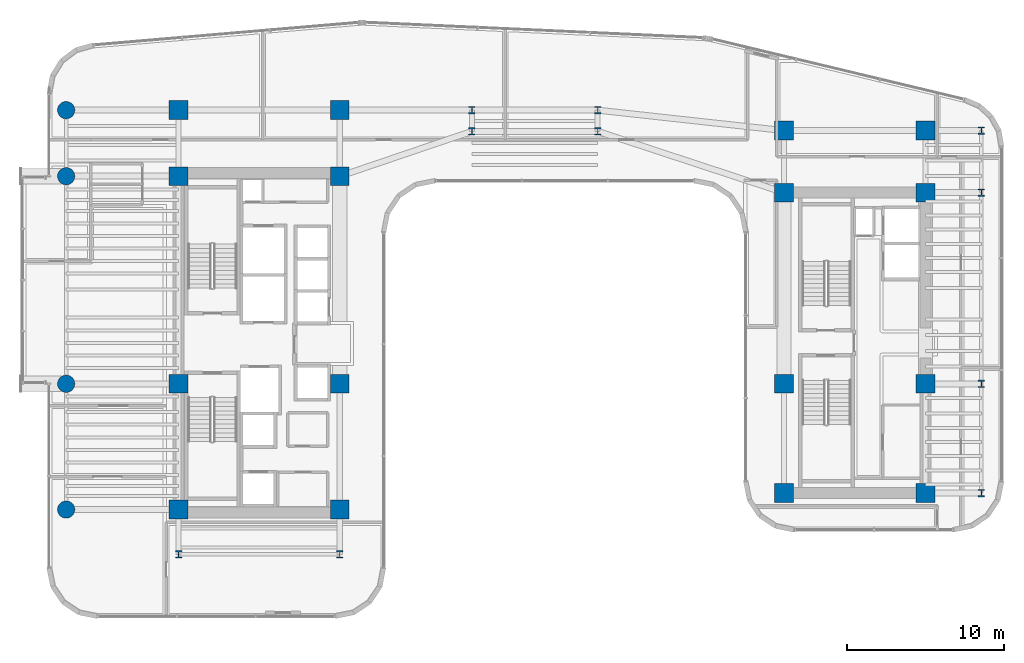
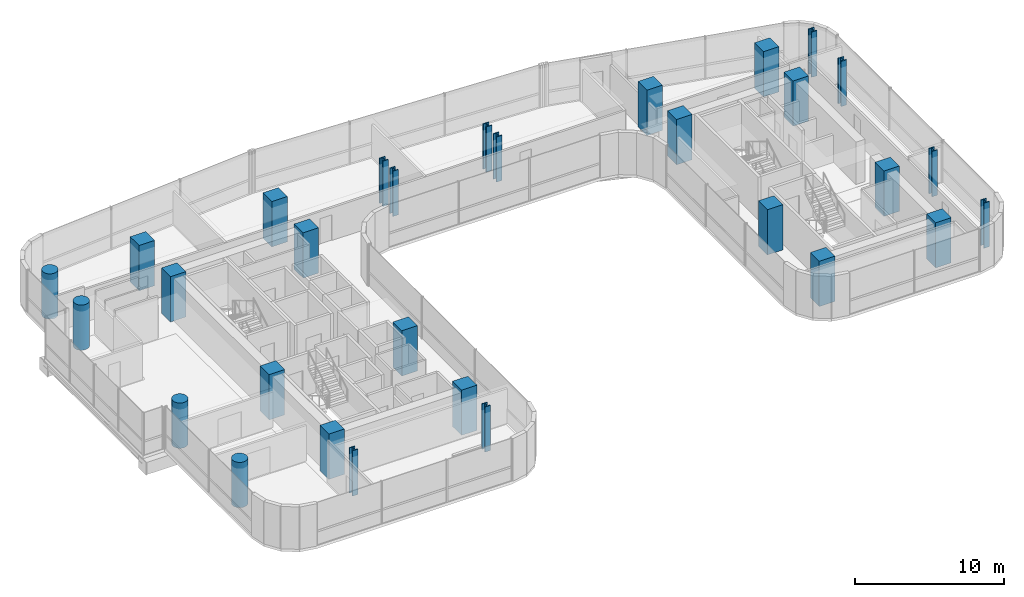
# One storey, part 1 of 34: 30 columns.
"""IFC4 building model written with IfcOpenShell, lengths in metres."""

from ifc_helpers import new_model, si_unit, direction, frame, origin, origin_2d, place, context, subcontext, project, spatial, rectangle, circle, i_section, extrude, source, transform, mapped, material, material_profile, profile_set, type_object, element, save


model = new_model("IFC4")

# Units and contexts
model_context = context("Model", 3, precision=1e-05, world=origin(), true_north=direction((0.0, 1.0)))
body_context = subcontext(model_context, "Body", "Model", "MODEL_VIEW")
ifc_project = project(units=[si_unit("LENGTHUNIT", "METRE"), si_unit("AREAUNIT", "SQUARE_METRE"), si_unit("VOLUMEUNIT", "CUBIC_METRE"), si_unit("PLANEANGLEUNIT", "RADIAN"), si_unit("MASSUNIT", "GRAM", prefix="KILO")], contexts=[model_context])

# Site, building, storey
site_placement = place(None, origin())
site = spatial("IfcSite", under=ifc_project, at=site_placement, CompositionType="ELEMENT")
building_placement = place(site_placement, origin())
building = spatial("IfcBuilding", under=site, at=building_placement, Name="Valdorenza Pilgrim Sanctuary Tower", CompositionType="ELEMENT")
storey_placement = place(building_placement, frame((0.0, 0.0, 142.699951171875)))
storey = spatial("IfcBuildingStorey", under=building, at=storey_placement, Name="L36", CompositionType="ELEMENT", Elevation=142.699951171875)

# Columns
ifc_material_1 = material(Name="Concrete C50/60", Category="concrete")
ifc_material_profile_1 = material_profile(ifc_material_1, circle(Radius=0.550048828125, at=origin_2d()), Name="RC D1100")
ifc_profile_set_1 = profile_set([ifc_material_profile_1], Name="Concrete C50/60")
column_type_1 = type_object("IfcColumnType", Name="COL-RND-1100", PredefinedType="COLUMN", material=ifc_profile_set_1)
shared_shape_1 = source(origin(), body_context, "Body", "SweptSolid", [
    extrude(circle(Radius=0.550048828125, at=origin_2d()), origin(), (0.0, 0.0, 1.0), 3.699951171875),
])
for number, where, z_axis, x_axis, name in (
    (1, (-29.800048828125, -10.60009765625, 0.0), (0.0, 0.0, 1.0), (1.0, 0.0, 0.0), "L36 Perimeter Column WA-W-S1"),
    (2, (-29.800048828125, -2.60009765625, 0.0), (0.0, 0.0, 1.0), (1.0, 0.0, 0.0), "L36 Perimeter Column WA-W-M0"),
    (3, (-29.800048828125, 10.60009765625, 0.0), (0.0, 0.0, 1.0), (1.0, 0.0, 0.0), "L36 Perimeter Column WA-W-N1"),
    (4, (-29.800048828125, 14.800048828125, 0.0), (0.0, 0.0, 1.0), (1.0, 0.0, 0.0), "L36 Perimeter Column WA-W-N2"),
):
    element("IfcColumn", number, at=place(storey_placement, frame(where, z_axis=z_axis, x_axis=x_axis)), inside=storey, type_object=column_type_1, Name=name, PredefinedType="COLUMN", context=body_context, shape_type="MappedRepresentation", body=[
        mapped(shared_shape_1, transform((0.0, 0.0, 0.0), x_axis=(1.0, 0.0, 0.0), y_axis=(0.0, 1.0, 0.0), z_axis=(0.0, 0.0, 1.0), scale=1.0)),
    ])
ifc_material_2 = material(Name="Concrete C60/75", Category="concrete")
ifc_material_profile_2 = material_profile(ifc_material_2, rectangle(XDim=1.199951171875, YDim=1.199951171875, at=origin_2d()), Name="RC 1200x1200")
ifc_profile_set_2 = profile_set([ifc_material_profile_2], Name="Concrete C60/75")
column_type_2 = type_object("IfcColumnType", Name="COL-Z2-1200", PredefinedType="COLUMN", material=ifc_profile_set_2)
shared_shape_2 = source(origin(), body_context, "Body", "SweptSolid", [
    extrude(rectangle(XDim=1.199951171875, YDim=1.199951171875, at=origin_2d()), origin(), (0.0, 0.0, 1.0), 3.699951171875),
])
for number, where, z_axis, x_axis, name in (
    (5, (-22.64990234375, -10.60009765625, 0.0), (0.0, 0.0, 1.0), (1.0, 0.0, 0.0), "L36 Column CA-W-S1"),
    (6, (-12.39990234375, -10.60009765625, 0.0), (0.0, 0.0, 1.0), (1.0, 0.0, 0.0), "L36 Column CA-E-S1"),
    (7, (-22.64990234375, -2.60009765625, 0.0), (0.0, 0.0, 1.0), (1.0, 0.0, 0.0), "L36 Column CA-W-M0"),
    (8, (-12.39990234375, -2.60009765625, 0.0), (0.0, 0.0, 1.0), (1.0, 0.0, 0.0), "L36 Column CA-E-M0"),
    (9, (-22.64990234375, 10.60009765625, 0.0), (0.0, 0.0, 1.0), (1.0, 0.0, 0.0), "L36 Column CA-W-N1"),
    (10, (-12.39990234375, 10.60009765625, 0.0), (0.0, 0.0, 1.0), (1.0, 0.0, 0.0), "L36 Column CA-E-N1"),
    (11, (-22.64990234375, 14.800048828125, 0.0), (0.0, 0.0, 1.0), (1.0, 0.0, 0.0), "L36 Column CA-W-N2"),
    (12, (-12.39990234375, 14.800048828125, 0.0), (0.0, 0.0, 1.0), (1.0, 0.0, 0.0), "L36 Column CA-E-N2"),
    (13, (15.85009765625, -9.550048828125, 0.0), (0.0, 0.0, 1.0), (1.0, 0.0, 0.0), "L36 Column CB-W-S1"),
    (14, (24.85009765625, -9.550048828125, 0.0), (0.0, 0.0, 1.0), (1.0, 0.0, 0.0), "L36 Column CB-E-S1"),
    (15, (15.85009765625, -2.60009765625, 0.0), (0.0, 0.0, 1.0), (1.0, 0.0, 0.0), "L36 Column CB-W-M0"),
    (16, (24.85009765625, -2.60009765625, 0.0), (0.0, 0.0, 1.0), (1.0, 0.0, 0.0), "L36 Column CB-E-M0"),
    (17, (15.85009765625, 9.550048828125, 0.0), (0.0, 0.0, 1.0), (1.0, 0.0, 0.0), "L36 Column CB-W-N1"),
    (18, (24.85009765625, 9.550048828125, 0.0), (0.0, 0.0, 1.0), (1.0, 0.0, 0.0), "L36 Column CB-E-N1"),
    (19, (15.85009765625, 13.5, 0.0), (0.0, 0.0, 1.0), (1.0, 0.0, 0.0), "L36 Column CB-W-N2"),
    (20, (24.85009765625, 13.5, 0.0), (0.0, 0.0, 1.0), (1.0, 0.0, 0.0), "L36 Column CB-E-N2"),
):
    element("IfcColumn", number, at=place(storey_placement, frame(where, z_axis=z_axis, x_axis=x_axis)), inside=storey, type_object=column_type_2, Name=name, PredefinedType="COLUMN", context=body_context, shape_type="MappedRepresentation", body=[
        mapped(shared_shape_2, transform((0.0, 0.0, 0.0), x_axis=(1.0, 0.0, 0.0), y_axis=(0.0, 1.0, 0.0), z_axis=(0.0, 0.0, 1.0), scale=1.0)),
    ])
ifc_material_3 = material(Name="Steel ASTM A992 Grade 50", Category="steel")
ifc_material_profile_3 = material_profile(ifc_material_3, i_section(OverallWidth=0.424072265625, OverallDepth=0.47412109375, WebThickness=0.047607421875, FlangeThickness=0.0771484375, at=origin_2d()), Name="W14X426")
ifc_profile_set_3 = profile_set([ifc_material_profile_3], Name="Steel ASTM A992 Grade 50")
column_type_3 = type_object("IfcColumnType", Name="COL-STL-W426", PredefinedType="COLUMN", material=ifc_profile_set_3)
shared_shape_3 = source(origin(), body_context, "Body", "SweptSolid", [
    extrude(i_section(OverallWidth=0.424072265625, OverallDepth=0.47412109375, WebThickness=0.047607421875, FlangeThickness=0.0771484375, at=origin_2d()), origin(), (0.0, 0.0, 1.0), 3.699951171875),
])
for number, where, z_axis, x_axis, name in (
    (21, (-22.64990234375, -13.449951171875, 0.0), (0.0, 0.0, 1.0), (1.0, 0.0, 0.0), "L36 Column WA-S-W"),
    (22, (-12.39990234375, -13.449951171875, 0.0), (0.0, 0.0, 1.0), (1.0, 0.0, 0.0), "L36 Column WA-S-E"),
    (23, (28.39990234375, -9.550048828125, 0.0), (0.0, 0.0, 1.0), (1.0, 0.0, 0.0), "L36 Perimeter Column WB-E-S1"),
    (24, (28.39990234375, -2.60009765625, 0.0), (0.0, 0.0, 1.0), (1.0, 0.0, 0.0), "L36 Perimeter Column WB-E-M0"),
    (25, (28.39990234375, 9.550048828125, 0.0), (0.0, 0.0, 1.0), (1.0, 0.0, 0.0), "L36 Perimeter Column WB-E-N1"),
    (26, (28.39990234375, 13.5, 0.0), (0.0, 0.0, 1.0), (1.0, 0.0, 0.0), "L36 Perimeter Column WB-E-N2"),
    (27, (-4.0, 13.449951171875, 0.0), (0.0, 0.0, 1.0), (1.0, 0.0, 0.0), "L36 Column KNK-W1"),
    (28, (-4.0, 14.800048828125, 0.0), (0.0, 0.0, 1.0), (1.0, 0.0, 0.0), "L36 Column KNK-W2"),
    (29, (4.0, 13.449951171875, 0.0), (0.0, 0.0, 1.0), (1.0, 0.0, 0.0), "L36 Column KNK-E1"),
    (30, (4.0, 14.800048828125, 0.0), (0.0, 0.0, 1.0), (1.0, 0.0, 0.0), "L36 Column KNK-E2"),
):
    element("IfcColumn", number, at=place(storey_placement, frame(where, z_axis=z_axis, x_axis=x_axis)), inside=storey, type_object=column_type_3, Name=name, PredefinedType="COLUMN", context=body_context, shape_type="MappedRepresentation", body=[
        mapped(shared_shape_3, transform((0.0, 0.0, 0.0), x_axis=(1.0, 0.0, 0.0), y_axis=(0.0, 1.0, 0.0), z_axis=(0.0, 0.0, 1.0), scale=1.0)),
    ])

save(model, "model.ifc")
